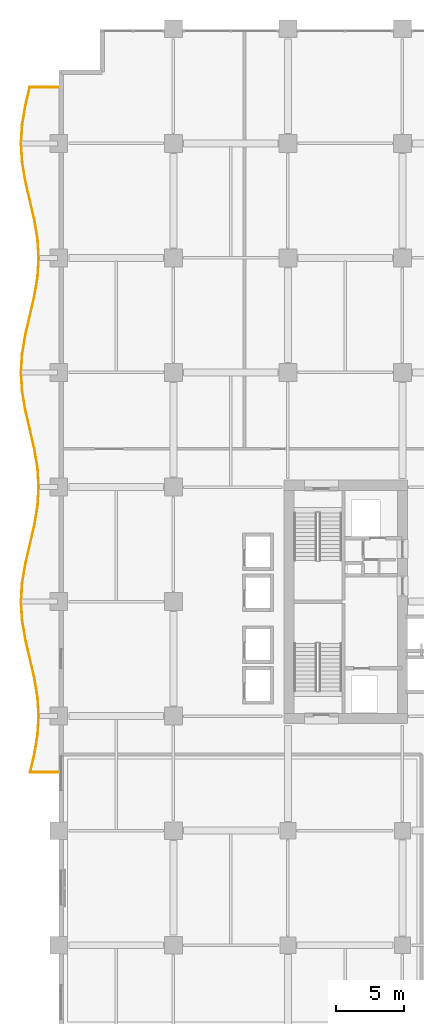
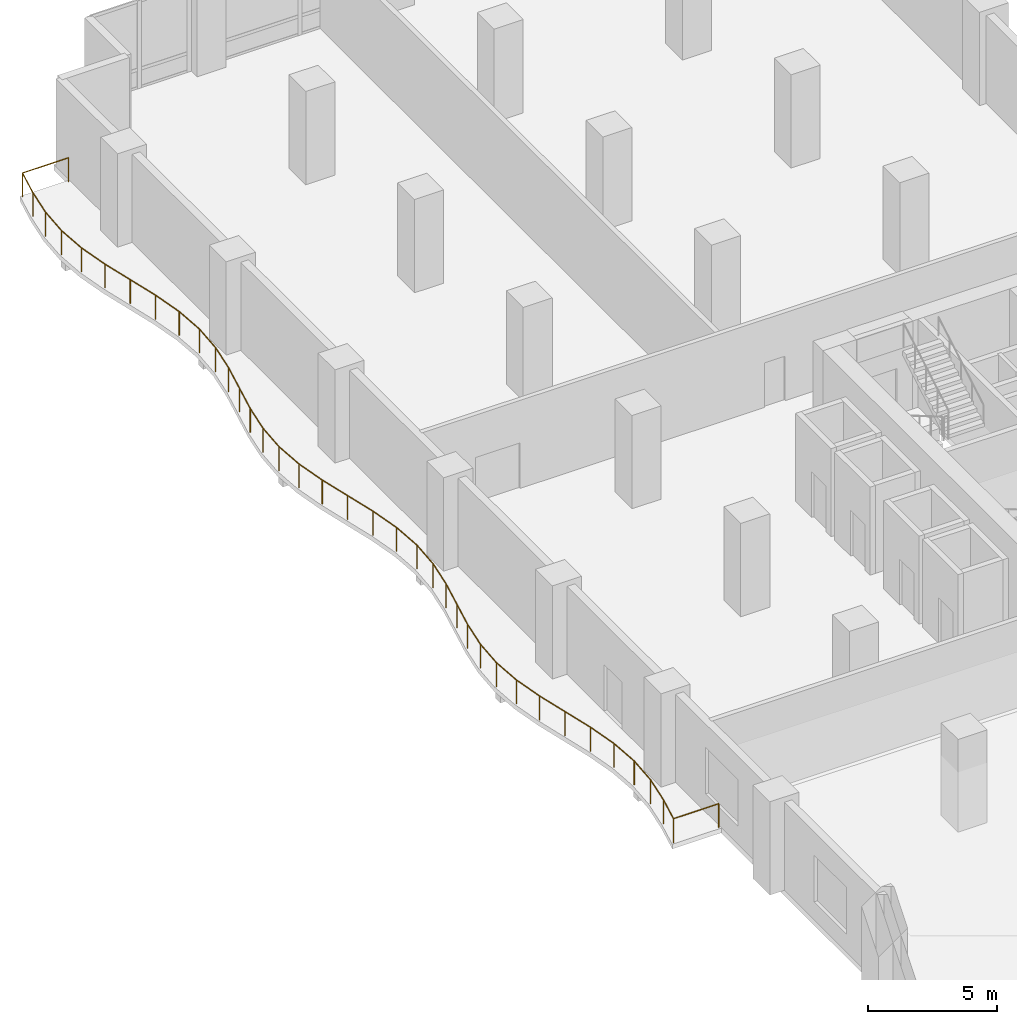
# One storey, part 21 of 21: 1 railing.
"""IFC4 building model written with IfcOpenShell, lengths in metres."""

from ifc_helpers import new_model, si_unit, direction, frame, origin, origin_2d, place, context, subcontext, project, spatial, circle, extrude, material, type_object, element, save


model = new_model("IFC4")

# Units and contexts
model_context = context("Model", 3, precision=1e-05, world=origin(), true_north=direction((0.0, 1.0)))
body_context = subcontext(model_context, "Body", "Model", "MODEL_VIEW")
ifc_project = project(units=[si_unit("LENGTHUNIT", "METRE"), si_unit("AREAUNIT", "SQUARE_METRE"), si_unit("VOLUMEUNIT", "CUBIC_METRE"), si_unit("PLANEANGLEUNIT", "RADIAN"), si_unit("MASSUNIT", "GRAM", prefix="KILO")], contexts=[model_context])

# Site, building, storey
site_placement = place(None, origin())
site = spatial("IfcSite", under=ifc_project, at=site_placement, CompositionType="ELEMENT")
building_placement = place(site_placement, origin())
building = spatial("IfcBuilding", under=site, at=building_placement, Name="Koriwani Terraces Tower", CompositionType="ELEMENT")
storey_placement = place(building_placement, frame((0.0, 0.0, 85.199951171875)))
storey = spatial("IfcBuildingStorey", under=building, at=storey_placement, Name="L20", CompositionType="ELEMENT", Elevation=85.199951171875)

# Railing
ifc_material = material(Name="Steel ASTM A572 Grade 50", Category="steel")
railing_type = type_object("IfcRailingType", Name="GUARD_BALUSTRADE_1150", PredefinedType="BALUSTRADE", material=ifc_material)
railing_placement = place(storey_placement, frame((-0.080078125, 37.8798828125, 0.0)))
element("IfcRailing", 1, at=railing_placement, inside=storey, type_object=railing_type, Name="L20 Balcony Perimeter Safety Balustrade (W)", PredefinedType="BALUSTRADE", context=body_context, shape_type="SweptSolid", body=[
    extrude(circle(Radius=0.02392578125, at=origin_2d()), frame((0.0, 0.0, 1.1259765625), z_axis=(-1.0, 0.0, 0.0), x_axis=(0.0, -1.0, 0.0)), (0.0, 0.0, 1.0), 2.019287109375),
    extrude(circle(Radius=0.02392578125, at=origin_2d()), frame((-2.019287109375, 0.0, 1.1259765625), z_axis=(0.226071012836, 0.974110823857, 0.0), x_axis=(-0.974110823857, 0.226071012836, 0.0)), (0.0, 0.0, 1.0), 1.339111328125),
    extrude(circle(Radius=0.02392578125, at=origin_2d()), frame((-1.716552734375, 1.304443359375, 1.1259765625), z_axis=(0.167533954852, 0.985866306337, 0.0), x_axis=(-0.985866306337, 0.167533954852, 0.0)), (0.0, 0.0, 1.0), 1.4267578125),
    extrude(circle(Radius=0.02392578125, at=origin_2d()), frame((-1.4775390625, 2.7109375, 1.1259765625), z_axis=(0.061904605217, 0.9980820707, 0.0), x_axis=(-0.9980820707, 0.061904605217, 0.0)), (0.0, 0.0, 1.0), 1.411865234375),
    extrude(circle(Radius=0.02392578125, at=origin_2d()), frame((-1.39013671875, 4.1201171875, 1.1259765625), z_axis=(-0.061904605217, 0.9980820707, 0.0), x_axis=(-0.9980820707, -0.061904605217, 0.0)), (0.0, 0.0, 1.0), 1.411865234375),
    extrude(circle(Radius=0.02392578125, at=origin_2d()), frame((-1.4775390625, 5.529296875, 1.1259765625), z_axis=(-0.167533954852, 0.985866306337, 0.0), x_axis=(-0.985866306337, -0.167533954852, 0.0)), (0.0, 0.0, 1.0), 1.4267578125),
    extrude(circle(Radius=0.02392578125, at=origin_2d()), frame((-1.716552734375, 6.935791015625, 1.1259765625), z_axis=(-0.226093729043, 0.974105551615, 0.0), x_axis=(-0.974105551615, -0.226093729043, 0.0)), (0.0, 0.0, 1.0), 2.87451171875),
    extrude(circle(Radius=0.02392578125, at=origin_2d()), frame((-2.366455078125, 9.73583984375, 1.1259765625), z_axis=(-0.167535062128, 0.985866118171, 0.0), x_axis=(-0.985866118171, -0.167535062128, 0.0)), (0.0, 0.0, 1.0), 1.41357421875),
    extrude(circle(Radius=0.02392578125, at=origin_2d()), frame((-2.603271484375, 11.12939453125, 1.1259765625), z_axis=(-0.062029198499, 0.998074335174, 0.0), x_axis=(-0.998074335174, -0.062029198499, 0.0)), (0.0, 0.0, 1.0), 1.393310546875),
    extrude(circle(Radius=0.02392578125, at=origin_2d()), frame((-2.689697265625, 12.52001953125, 1.1259765625), z_axis=(0.062018352335, 0.998075009192, 0.0), x_axis=(-0.998075009192, 0.062018352335, 0.0)), (0.0, 0.0, 1.0), 1.3935546875),
    extrude(circle(Radius=0.02392578125, at=origin_2d()), frame((-2.603271484375, 13.910888671875, 1.1259765625), z_axis=(0.167563594016, 0.985861269125, 0.0), x_axis=(-0.985861269125, 0.167563594016, 0.0)), (0.0, 0.0, 1.0), 1.413330078125),
    extrude(circle(Radius=0.02392578125, at=origin_2d()), frame((-2.366455078125, 15.30419921875, 1.1259765625), z_axis=(0.226075024805, 0.974109892753, 0.0), x_axis=(-0.974109892753, 0.226075024805, 0.0)), (0.0, 0.0, 1.0), 2.874755859375),
    extrude(circle(Radius=0.02392578125, at=origin_2d()), frame((-1.716552734375, 18.1044921875, 1.1259765625), z_axis=(0.167533954852, 0.985866306337, 0.0), x_axis=(-0.985866306337, 0.167533954852, 0.0)), (0.0, 0.0, 1.0), 1.4267578125),
    extrude(circle(Radius=0.02392578125, at=origin_2d()), frame((-1.4775390625, 19.510986328125, 1.1259765625), z_axis=(0.061904605217, 0.9980820707, 0.0), x_axis=(-0.9980820707, 0.061904605217, 0.0)), (0.0, 0.0, 1.0), 1.411865234375),
    extrude(circle(Radius=0.02392578125, at=origin_2d()), frame((-1.39013671875, 20.920166015625, 1.1259765625), z_axis=(-0.061904605217, 0.9980820707, 0.0), x_axis=(-0.9980820707, -0.061904605217, 0.0)), (0.0, 0.0, 1.0), 1.411865234375),
    extrude(circle(Radius=0.02392578125, at=origin_2d()), frame((-1.4775390625, 22.329345703125, 1.1259765625), z_axis=(-0.167533954852, 0.985866306337, 0.0), x_axis=(-0.985866306337, -0.167533954852, 0.0)), (0.0, 0.0, 1.0), 1.4267578125),
    extrude(circle(Radius=0.02392578125, at=origin_2d()), frame((-1.716552734375, 23.73583984375, 1.1259765625), z_axis=(-0.226093729043, 0.974105551615, 0.0), x_axis=(-0.974105551615, -0.226093729043, 0.0)), (0.0, 0.0, 1.0), 2.87451171875),
    extrude(circle(Radius=0.02392578125, at=origin_2d()), frame((-2.366455078125, 26.535888671875, 1.1259765625), z_axis=(-0.167563594016, 0.985861269125, 0.0), x_axis=(-0.985861269125, -0.167563594016, 0.0)), (0.0, 0.0, 1.0), 1.413330078125),
    extrude(circle(Radius=0.02392578125, at=origin_2d()), frame((-2.603271484375, 27.92919921875, 1.1259765625), z_axis=(-0.062018352335, 0.998075009192, 0.0), x_axis=(-0.998075009192, -0.062018352335, 0.0)), (0.0, 0.0, 1.0), 1.3935546875),
    extrude(circle(Radius=0.02392578125, at=origin_2d()), frame((-2.689697265625, 29.320068359375, 1.1259765625), z_axis=(0.062018352335, 0.998075009192, 0.0), x_axis=(-0.998075009192, 0.062018352335, 0.0)), (0.0, 0.0, 1.0), 1.3935546875),
    extrude(circle(Radius=0.02392578125, at=origin_2d()), frame((-2.603271484375, 30.7109375, 1.1259765625), z_axis=(0.167563594016, 0.985861269125, 0.0), x_axis=(-0.985861269125, 0.167563594016, 0.0)), (0.0, 0.0, 1.0), 1.413330078125),
    extrude(circle(Radius=0.02392578125, at=origin_2d()), frame((-2.366455078125, 32.104248046875, 1.1259765625), z_axis=(0.226093729043, 0.974105551615, 0.0), x_axis=(-0.974105551615, 0.226093729043, 0.0)), (0.0, 0.0, 1.0), 2.87451171875),
    extrude(circle(Radius=0.02392578125, at=origin_2d()), frame((-1.716552734375, 34.904296875, 1.1259765625), z_axis=(0.16750569507, 0.985871108269, 0.0), x_axis=(-0.985871108269, 0.16750569507, 0.0)), (0.0, 0.0, 1.0), 1.427001953125),
    extrude(circle(Radius=0.02392578125, at=origin_2d()), frame((-1.4775390625, 36.31103515625, 1.1259765625), z_axis=(0.061904605217, 0.9980820707, 0.0), x_axis=(-0.9980820707, 0.061904605217, 0.0)), (0.0, 0.0, 1.0), 1.411865234375),
    extrude(circle(Radius=0.02392578125, at=origin_2d()), frame((-1.39013671875, 37.72021484375, 1.1259765625), z_axis=(-0.061904605217, 0.9980820707, 0.0), x_axis=(-0.9980820707, -0.061904605217, 0.0)), (0.0, 0.0, 1.0), 1.411865234375),
    extrude(circle(Radius=0.02392578125, at=origin_2d()), frame((-1.4775390625, 39.12939453125, 1.1259765625), z_axis=(-0.167533954852, 0.985866306337, 0.0), x_axis=(-0.985866306337, -0.167533954852, 0.0)), (0.0, 0.0, 1.0), 1.4267578125),
    extrude(circle(Radius=0.02392578125, at=origin_2d()), frame((-1.716552734375, 40.535888671875, 1.1259765625), z_axis=(-0.226093729043, 0.974105551615, 0.0), x_axis=(-0.974105551615, -0.226093729043, 0.0)), (0.0, 0.0, 1.0), 2.87451171875),
    extrude(circle(Radius=0.02392578125, at=origin_2d()), frame((-2.366455078125, 43.3359375, 1.1259765625), z_axis=(-0.167563594016, 0.985861269125, 0.0), x_axis=(-0.985861269125, -0.167563594016, 0.0)), (0.0, 0.0, 1.0), 1.413330078125),
    extrude(circle(Radius=0.02392578125, at=origin_2d()), frame((-2.603271484375, 44.729248046875, 1.1259765625), z_axis=(-0.062018352335, 0.998075009192, 0.0), x_axis=(-0.998075009192, -0.062018352335, 0.0)), (0.0, 0.0, 1.0), 1.3935546875),
    extrude(circle(Radius=0.02392578125, at=origin_2d()), frame((-2.689697265625, 46.1201171875, 1.1259765625), z_axis=(0.062018352335, 0.998075009192, 0.0), x_axis=(-0.998075009192, 0.062018352335, 0.0)), (0.0, 0.0, 1.0), 1.3935546875),
    extrude(circle(Radius=0.02392578125, at=origin_2d()), frame((-2.603271484375, 47.510986328125, 1.1259765625), z_axis=(0.167563594016, 0.985861269125, 0.0), x_axis=(-0.985861269125, 0.167563594016, 0.0)), (0.0, 0.0, 1.0), 1.413330078125),
    extrude(circle(Radius=0.02392578125, at=origin_2d()), frame((-2.366455078125, 48.904296875, 1.1259765625), z_axis=(0.226081445763, 0.974108402531, 0.0), x_axis=(-0.974108402531, 0.226081445763, 0.0)), (0.0, 0.0, 1.0), 1.371337890625),
    extrude(circle(Radius=0.02392578125, at=origin_2d()), frame((-2.056396484375, 50.240234375, 1.1259765625), z_axis=(1.0, 0.0, 0.0), x_axis=(0.0, 1.0, 0.0)), (0.0, 0.0, 1.0), 2.056396484375),
    extrude(circle(Radius=0.02099609375, at=origin_2d()), origin(), (0.0, 0.0, 1.0), 1.101806640625),
    extrude(circle(Radius=0.02099609375, at=origin_2d()), frame((-2.019287109375, 0.0, 0.0)), (0.0, 0.0, 1.0), 1.101806640625),
    extrude(circle(Radius=0.02099609375, at=origin_2d()), frame((-1.716552734375, 1.304443359375, 0.0)), (0.0, 0.0, 1.0), 1.101806640625),
    extrude(circle(Radius=0.02099609375, at=origin_2d()), frame((-1.4775390625, 2.7109375, 0.0)), (0.0, 0.0, 1.0), 1.101806640625),
    extrude(circle(Radius=0.02099609375, at=origin_2d()), frame((-1.39013671875, 4.1201171875, 0.0)), (0.0, 0.0, 1.0), 1.101806640625),
    extrude(circle(Radius=0.02099609375, at=origin_2d()), frame((-1.4775390625, 5.529296875, 0.0)), (0.0, 0.0, 1.0), 1.101806640625),
    extrude(circle(Radius=0.02099609375, at=origin_2d()), frame((-1.716552734375, 6.935791015625, 0.0)), (0.0, 0.0, 1.0), 1.101806640625),
    extrude(circle(Radius=0.02099609375, at=origin_2d()), frame((-2.04150390625, 8.3359375, 0.0)), (0.0, 0.0, 1.0), 1.101806640625),
    extrude(circle(Radius=0.02099609375, at=origin_2d()), frame((-2.366455078125, 9.73583984375, 0.0)), (0.0, 0.0, 1.0), 1.101806640625),
    extrude(circle(Radius=0.02099609375, at=origin_2d()), frame((-2.603271484375, 11.12939453125, 0.0)), (0.0, 0.0, 1.0), 1.101806640625),
    extrude(circle(Radius=0.02099609375, at=origin_2d()), frame((-2.689697265625, 12.52001953125, 0.0)), (0.0, 0.0, 1.0), 1.101806640625),
    extrude(circle(Radius=0.02099609375, at=origin_2d()), frame((-2.603271484375, 13.910888671875, 0.0)), (0.0, 0.0, 1.0), 1.101806640625),
    extrude(circle(Radius=0.02099609375, at=origin_2d()), frame((-2.366455078125, 15.30419921875, 0.0)), (0.0, 0.0, 1.0), 1.101806640625),
    extrude(circle(Radius=0.02099609375, at=origin_2d()), frame((-2.04150390625, 16.704345703125, 0.0)), (0.0, 0.0, 1.0), 1.101806640625),
    extrude(circle(Radius=0.02099609375, at=origin_2d()), frame((-1.716552734375, 18.1044921875, 0.0)), (0.0, 0.0, 1.0), 1.101806640625),
    extrude(circle(Radius=0.02099609375, at=origin_2d()), frame((-1.4775390625, 19.510986328125, 0.0)), (0.0, 0.0, 1.0), 1.101806640625),
    extrude(circle(Radius=0.02099609375, at=origin_2d()), frame((-1.39013671875, 20.920166015625, 0.0)), (0.0, 0.0, 1.0), 1.101806640625),
    extrude(circle(Radius=0.02099609375, at=origin_2d()), frame((-1.4775390625, 22.329345703125, 0.0)), (0.0, 0.0, 1.0), 1.101806640625),
    extrude(circle(Radius=0.02099609375, at=origin_2d()), frame((-1.716552734375, 23.73583984375, 0.0)), (0.0, 0.0, 1.0), 1.101806640625),
    extrude(circle(Radius=0.02099609375, at=origin_2d()), frame((-2.04150390625, 25.1357421875, 0.0)), (0.0, 0.0, 1.0), 1.101806640625),
    extrude(circle(Radius=0.02099609375, at=origin_2d()), frame((-2.366455078125, 26.535888671875, 0.0)), (0.0, 0.0, 1.0), 1.101806640625),
    extrude(circle(Radius=0.02099609375, at=origin_2d()), frame((-2.603271484375, 27.92919921875, 0.0)), (0.0, 0.0, 1.0), 1.101806640625),
    extrude(circle(Radius=0.02099609375, at=origin_2d()), frame((-2.689697265625, 29.320068359375, 0.0)), (0.0, 0.0, 1.0), 1.101806640625),
    extrude(circle(Radius=0.02099609375, at=origin_2d()), frame((-2.603271484375, 30.7109375, 0.0)), (0.0, 0.0, 1.0), 1.101806640625),
    extrude(circle(Radius=0.02099609375, at=origin_2d()), frame((-2.366455078125, 32.104248046875, 0.0)), (0.0, 0.0, 1.0), 1.101806640625),
    extrude(circle(Radius=0.02099609375, at=origin_2d()), frame((-2.04150390625, 33.50439453125, 0.0)), (0.0, 0.0, 1.0), 1.101806640625),
    extrude(circle(Radius=0.02099609375, at=origin_2d()), frame((-1.716552734375, 34.904296875, 0.0)), (0.0, 0.0, 1.0), 1.101806640625),
    extrude(circle(Radius=0.02099609375, at=origin_2d()), frame((-1.4775390625, 36.31103515625, 0.0)), (0.0, 0.0, 1.0), 1.101806640625),
    extrude(circle(Radius=0.02099609375, at=origin_2d()), frame((-1.39013671875, 37.72021484375, 0.0)), (0.0, 0.0, 1.0), 1.101806640625),
    extrude(circle(Radius=0.02099609375, at=origin_2d()), frame((-1.4775390625, 39.12939453125, 0.0)), (0.0, 0.0, 1.0), 1.101806640625),
    extrude(circle(Radius=0.02099609375, at=origin_2d()), frame((-1.716552734375, 40.535888671875, 0.0)), (0.0, 0.0, 1.0), 1.101806640625),
    extrude(circle(Radius=0.02099609375, at=origin_2d()), frame((-2.04150390625, 41.93603515625, 0.0)), (0.0, 0.0, 1.0), 1.101806640625),
    extrude(circle(Radius=0.02099609375, at=origin_2d()), frame((-2.366455078125, 43.3359375, 0.0)), (0.0, 0.0, 1.0), 1.101806640625),
    extrude(circle(Radius=0.02099609375, at=origin_2d()), frame((-2.603271484375, 44.729248046875, 0.0)), (0.0, 0.0, 1.0), 1.101806640625),
    extrude(circle(Radius=0.02099609375, at=origin_2d()), frame((-2.689697265625, 46.1201171875, 0.0)), (0.0, 0.0, 1.0), 1.101806640625),
    extrude(circle(Radius=0.02099609375, at=origin_2d()), frame((-2.603271484375, 47.510986328125, 0.0)), (0.0, 0.0, 1.0), 1.101806640625),
    extrude(circle(Radius=0.02099609375, at=origin_2d()), frame((-2.366455078125, 48.904296875, 0.0)), (0.0, 0.0, 1.0), 1.101806640625),
    extrude(circle(Radius=0.02099609375, at=origin_2d()), frame((-2.056396484375, 50.240234375, 0.0)), (0.0, 0.0, 1.0), 1.101806640625),
    extrude(circle(Radius=0.02099609375, at=origin_2d()), frame((0.0, 50.240234375, 0.0)), (0.0, 0.0, 1.0), 1.101806640625),
])

save(model, "model.ifc")
